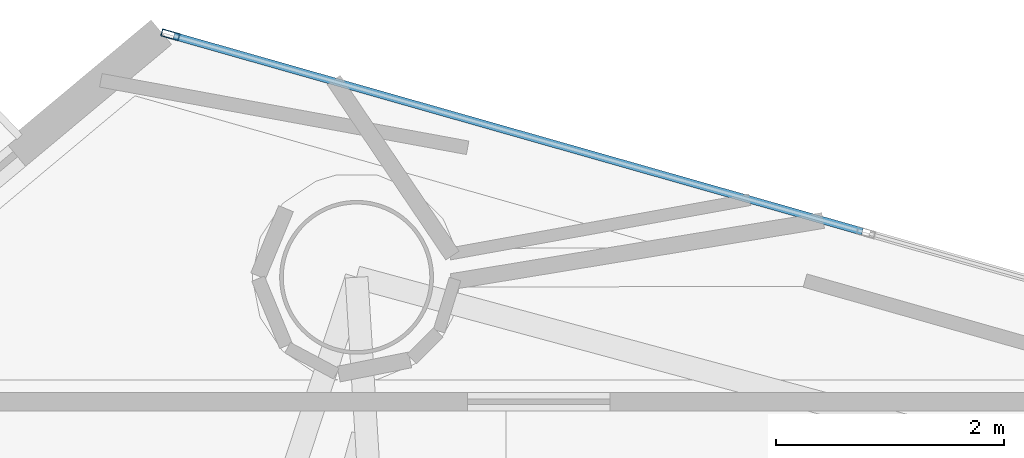
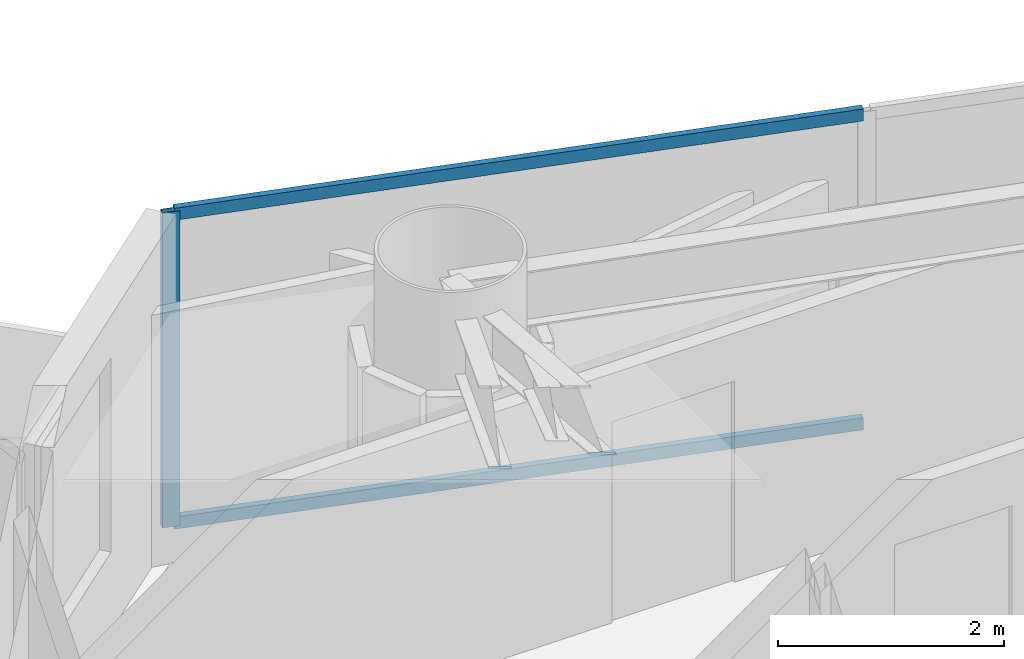
# One storey, part 16 of 22: 3 members, 1 element without a shape of its own.
"""IFC4 building model written with IfcOpenShell, lengths in metres."""

from ifc_helpers import new_model, si_unit, direction, frame, origin, origin_2d, place, context, subcontext, project, spatial, hollow_rectangle, extrude, material, layer, layer_set, material_profile, profile_set, type_object, element, aggregate, save


model = new_model("IFC4")

# Units and contexts
model_context = context("Model", 3, precision=1e-05, world=origin(), true_north=direction((0.0, 1.0)))
body_context = subcontext(model_context, "Body", "Model", "MODEL_VIEW")
ifc_project = project(units=[si_unit("LENGTHUNIT", "METRE"), si_unit("AREAUNIT", "SQUARE_METRE"), si_unit("VOLUMEUNIT", "CUBIC_METRE"), si_unit("PLANEANGLEUNIT", "RADIAN"), si_unit("MASSUNIT", "GRAM", prefix="KILO")], contexts=[model_context])

# Site, building, storey
site_placement = place(None, origin())
site = spatial("IfcSite", under=ifc_project, at=site_placement, CompositionType="ELEMENT")
building_placement = place(site_placement, origin())
building = spatial("IfcBuilding", under=site, at=building_placement, Name="Qianvela Tower", CompositionType="ELEMENT")
storey_placement = place(building_placement, frame((0.0, 0.0, 180.89990234375)))
storey = spatial("IfcBuildingStorey", under=building, at=storey_placement, Name="L46", CompositionType="ELEMENT", Elevation=180.89990234375)

# Curtain wall, members
ifc_material_1 = material(Name="Anodised Architectural Aluminium and Low-E Glass", Category="aluminium")
ifc_layer = layer(ifc_material_1, 0.169921875)
ifc_layer_set = layer_set([ifc_layer], Name="Anodised Architectural Aluminium and Low-E Glass")
curtain_wall_type = type_object("IfcCurtainWallType", Name="CW-COLIV-Z34", PredefinedType="USERDEFINED", material=ifc_layer_set)
curtain_wall_placement = place(storey_placement, origin())
curtain_wall = element("IfcCurtainWall", 1, at=curtain_wall_placement, inside=storey, type_object=curtain_wall_type, Name="L46 CW-COLIV-Z34 Curtain Wall 02C", ObjectType="CURTAIN_WALL_SYSTEM", PredefinedType="USERDEFINED")
ifc_material_2 = material(Name="Anodised Architectural Aluminium 6063-T6", Category="aluminium")
ifc_material_profile_1 = material_profile(ifc_material_2, hollow_rectangle(XDim=0.06494140625, YDim=0.159912109375, WallThickness=0.0048828125, at=origin_2d()), Name="ALU-MULL-65x160")
ifc_profile_set_1 = profile_set([ifc_material_profile_1], Name="Anodised Architectural Aluminium 6063-T6")
member_type_1 = type_object("IfcMemberType", Name="CW-COLIV-Z34-MULL", PredefinedType="MULLION", material=ifc_profile_set_1)
member_1_placement = place(storey_placement, frame((26.60107421875, 41.5390625, 0.0), z_axis=(0.0, 0.0, 1.0), x_axis=(-0.273502418638, -0.961871315197, 0.0)))
member_1 = element("IfcMember", 2, at=member_1_placement, type_object=member_type_1, Name="CW-4 mullion 3", PredefinedType="MULLION", context=body_context, shape_type="SweptSolid", body=[
    extrude(hollow_rectangle(XDim=0.06494140625, YDim=0.159912109375, WallThickness=0.0048828125, at=origin_2d()), origin(), (0.0, 0.0, 1.0), 3.400146484375),
])
ifc_material_3 = material(Name="Anodised Architectural Aluminium 6063-T6", Category="aluminium")
ifc_material_profile_2 = material_profile(ifc_material_3, hollow_rectangle(XDim=0.06494140625, YDim=0.1298828125, WallThickness=0.00439453125, at=origin_2d()), Name="ALU-TRAN-65x130")
ifc_profile_set_2 = profile_set([ifc_material_profile_2], Name="Anodised Architectural Aluminium 6063-T6")
member_type_2 = type_object("IfcMemberType", Name="CW-COLIV-Z34-TRAN", PredefinedType="USERDEFINED", material=ifc_profile_set_2)
member_2_placement = place(storey_placement, frame((32.67431640625, 39.812255859375, 0.03271484375), z_axis=(-0.961881001733, 0.273468350097, 0.0), x_axis=(-0.273468350097, -0.961881001733, 0.0)))
member_2 = element("IfcMember", 3, at=member_2_placement, type_object=member_type_2, Name="CW-4 transom 2.1", ObjectType="TRANSOM", PredefinedType="USERDEFINED", context=body_context, shape_type="SweptSolid", body=[
    extrude(hollow_rectangle(XDim=0.06494140625, YDim=0.1298828125, WallThickness=0.00439453125, at=origin_2d()), origin(), (0.0, 0.0, 1.0), 6.281494140625),
])
member_3_placement = place(storey_placement, frame((32.67431640625, 39.812255859375, 3.36767578125), z_axis=(-0.961881001733, 0.273468350097, 0.0), x_axis=(-0.273468350097, -0.961881001733, 0.0)))
member_3 = element("IfcMember", 4, at=member_3_placement, type_object=member_type_2, Name="CW-4 transom 2.2", ObjectType="TRANSOM", PredefinedType="USERDEFINED", context=body_context, shape_type="SweptSolid", body=[
    extrude(hollow_rectangle(XDim=0.06494140625, YDim=0.1298828125, WallThickness=0.00439453125, at=origin_2d()), origin(), (0.0, 0.0, 1.0), 6.281494140625),
])
aggregate(curtain_wall, [member_1, member_2, member_3])

save(model, "model.ifc")
